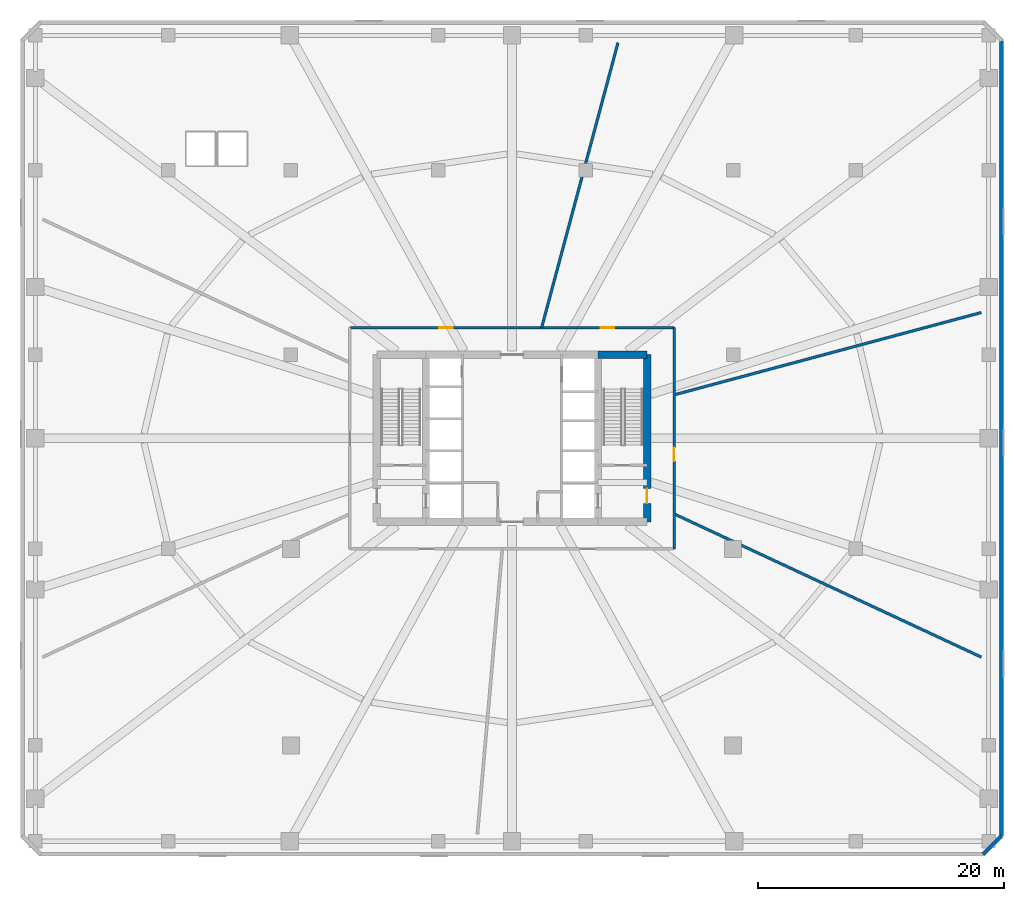
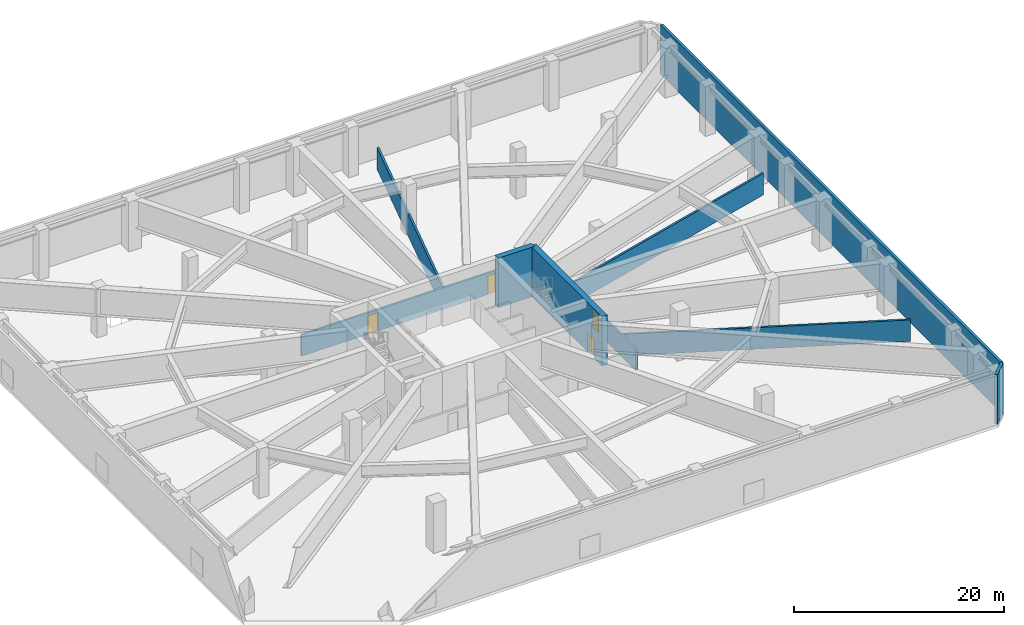
# One storey, part 6 of 9: 9 walls, 4 doors, 4 openings.
"""IFC4 building model written with IfcOpenShell, lengths in metres."""

from ifc_helpers import new_model, si_unit, direction, frame, frame_2d, origin, place, context, subcontext, project, spatial, rectangle, extrude, material, layer, layer_set, type_object, element, fill, save


model = new_model("IFC4")

# Units and contexts
model_context = context("Model", 3, precision=1e-05, world=origin(), true_north=direction((0.0, 1.0)))
body_context = subcontext(model_context, "Body", "Model", "MODEL_VIEW")
ifc_project = project(units=[si_unit("LENGTHUNIT", "METRE"), si_unit("AREAUNIT", "SQUARE_METRE"), si_unit("VOLUMEUNIT", "CUBIC_METRE"), si_unit("PLANEANGLEUNIT", "RADIAN"), si_unit("MASSUNIT", "GRAM", prefix="KILO")], contexts=[model_context])

# Site, building, storey
site_placement = place(None, origin())
site = spatial("IfcSite", under=ifc_project, at=site_placement, CompositionType="ELEMENT")
building_placement = place(site_placement, origin())
building = spatial("IfcBuilding", under=site, at=building_placement, Name="Sarneth Arch Tower", CompositionType="ELEMENT")
storey_placement = place(building_placement, frame((0.0, 0.0, 22.199951171875)))
storey = spatial("IfcBuildingStorey", under=building, at=storey_placement, Name="L04", CompositionType="ELEMENT", Elevation=22.199951171875)

# Wall
ifc_material_1 = material(Name="Concrete C60/75", Category="concrete")
ifc_layer_1 = layer(ifc_material_1, 0.60009765625)
ifc_layer_set_1 = layer_set([ifc_layer_1], Name="Concrete C60/75")
wall_type_1 = type_object("IfcWallType", Name="WALL-CORE-600", PredefinedType="SHEAR", material=ifc_layer_set_1)
wall_1_placement = place(storey_placement, frame((55.0, 48.800048828125, 0.0), z_axis=(0.0, 0.0, 1.0), x_axis=(1.0, 0.0, 0.0)))
element("IfcWall", 1, at=wall_1_placement, inside=storey, type_object=wall_type_1, Name="L04 Core shear wall N-E", PredefinedType="SHEAR", context=body_context, shape_type="SweptSolid", body=[
    extrude(rectangle(XDim=4.0, YDim=0.60009765625, at=frame_2d((2.0, 0.0))), origin(), (0.0, 0.0, 1.0), 5.75),
])

# Wall, opening, door
wall_2_placement = place(storey_placement, frame((59.0, 35.199951171875, 0.0), z_axis=(0.0, 0.0, 1.0), x_axis=(0.0, 1.0, 0.0)))
wall_2 = element("IfcWall", 2, at=wall_2_placement, inside=storey, type_object=wall_type_1, Name="L04 Core shear wall E", PredefinedType="SHEAR", context=body_context, shape_type="SweptSolid", body=[
    extrude(rectangle(XDim=13.60009765625, YDim=0.60009765625, at=frame_2d((6.800048828125, 0.0))), origin(), (0.0, 0.0, 1.0), 5.75),
])
opening_1_placement = place(wall_2_placement, frame((1.5, 0.0, 0.0)))
opening_1 = element("IfcOpeningElement", 3, at=opening_1_placement, cuts=wall_2, Name="Opening FD-02", PredefinedType="OPENING", context=body_context, shape_type="SweptSolid", body=[
    extrude(rectangle(XDim=1.199951171875, YDim=2.14990234375, at=frame_2d((0.60009765625, 1.074951171875))), frame((0.0, 0.31005859375, 0.0), z_axis=(0.0, -1.0, 0.0), x_axis=(1.0, 0.0, 0.0)), (0.0, 0.0, 1.0), 0.6201171875),
])
ifc_material_2 = material(Name="Galvanised Steel S275 fire door set", Category="steel")
door_type_1 = type_object("IfcDoorType", Name="DR-FD90-1200", OperationType="SINGLE_SWING_LEFT", PredefinedType="DOOR", material=ifc_material_2)
door_1_placement = place(opening_1_placement, origin())
door_1 = element("IfcDoor", 4, at=door_1_placement, inside=storey, type_object=door_type_1, Name="L04 Firefighting lobby 2 exit door", OperationType="SINGLE_SWING_RIGHT", OverallHeight=2.14990234375, OverallWidth=1.199951171875, PredefinedType="DOOR", context=body_context, shape_type="SweptSolid", body=[
    extrude(rectangle(XDim=1.199951171875, YDim=2.14990234375, at=frame_2d((0.60009765625, 1.074951171875))), frame((0.0, 0.02490234375, 0.0), z_axis=(0.0, -1.0, 0.0), x_axis=(1.0, 0.0, 0.0)), (0.0, 0.0, 1.0), 0.050048828125),
])
fill(opening_1, door_1)

# Walls
ifc_material_3 = material(Name="Extruded terracotta rainscreen on Concrete C40/50 backing", Category="masonry")
ifc_layer_2 = layer(ifc_material_3, 0.300048828125)
ifc_layer_set_2 = layer_set([ifc_layer_2], Name="Extruded terracotta rainscreen on Concrete C40/50 backing")
wall_type_2 = type_object("IfcWallType", Name="WALL-EXT-ACOUST-300", PredefinedType="SOLIDWALL", material=ifc_layer_set_2)
wall_3_placement = place(storey_placement, frame((86.35009765625, 8.14990234375, 0.0), z_axis=(0.0, 0.0, 1.0), x_axis=(0.707106781187, 0.707106781187, 0.0)))
element("IfcWall", 5, at=wall_3_placement, inside=storey, type_object=wall_type_2, Name="L04 Podium corner wall 2", PredefinedType="SOLIDWALL", context=body_context, shape_type="SweptSolid", body=[
    extrude(rectangle(XDim=2.121337890625, YDim=0.300048828125, at=frame_2d((1.060546875, 0.0))), origin(), (0.0, 0.0, 1.0), 5.75),
])
wall_4_placement = place(storey_placement, frame((87.85009765625, 9.64990234375, 0.0), z_axis=(0.0, 0.0, 1.0), x_axis=(0.0, 1.0, 0.0)))
element("IfcWall", 6, at=wall_4_placement, inside=storey, type_object=wall_type_2, Name="L04 Podium exterior wall 3", PredefinedType="SOLIDWALL", context=body_context, shape_type="SweptSolid", body=[
    extrude(rectangle(XDim=64.7001953125, YDim=0.300048828125, at=frame_2d((32.35009765625, 0.0))), origin(), (0.0, 0.0, 1.0), 5.75),
])
ifc_material_4 = material(Name="Aerated concrete blockwork C25/30", Category="masonry")
ifc_layer_3 = layer(ifc_material_4, 0.219970703125)
ifc_layer_set_3 = layer_set([ifc_layer_3], Name="Aerated concrete blockwork C25/30")
wall_type_3 = type_object("IfcWallType", Name="WALL-FIRE-220", PredefinedType="SOLIDWALL", material=ifc_layer_set_3)
wall_5_placement = place(storey_placement, frame((61.199951171875, 35.8447265625, 0.0), z_axis=(0.0, 0.0, 1.0), x_axis=(0.906307462258, -0.422618958231, 0.0)))
element("IfcWall", 7, at=wall_5_placement, inside=storey, type_object=wall_type_3, Name="L04 Interior partition W-L04-TP-016", PredefinedType="SOLIDWALL", context=body_context, shape_type="SweptSolid", body=[
    extrude(rectangle(XDim=27.58447265625, YDim=0.219970703125, at=frame_2d((13.792236328125, 0.0))), origin(), (0.0, 0.0, 1.0), 2.5),
])
wall_6_placement = place(storey_placement, frame((86.199951171875, 52.235595703125, 0.0), z_axis=(0.0, 0.0, 1.0), x_axis=(-0.965925819934, -0.258819068822, 0.0)))
element("IfcWall", 8, at=wall_6_placement, inside=storey, type_object=wall_type_3, Name="L04 Interior partition W-L04-TP-012", PredefinedType="SOLIDWALL", context=body_context, shape_type="SweptSolid", body=[
    extrude(rectangle(XDim=25.8818359375, YDim=0.219970703125, at=frame_2d((12.94091796875, 0.0))), origin(), (0.0, 0.0, 1.0), 2.5),
])
wall_7_placement = place(storey_placement, frame((50.41162109375, 51.0, 0.0), z_axis=(0.0, 0.0, 1.0), x_axis=(0.25881517655, 0.965926862856, 0.0)))
element("IfcWall", 9, at=wall_7_placement, inside=storey, type_object=wall_type_3, Name="L04 Interior partition W-L04-TP-011", PredefinedType="SOLIDWALL", context=body_context, shape_type="SweptSolid", body=[
    extrude(rectangle(XDim=24.018310546875, YDim=0.219970703125, at=frame_2d((12.00927734375, 0.0))), origin(), (0.0, 0.0, 1.0), 2.5),
])

# Wall, openings, doors
wall_8_placement = place(storey_placement, frame((34.800048828125, 51.0, 0.0), z_axis=(0.0, 0.0, 1.0), x_axis=(1.0, 0.0, 0.0)))
wall_8 = element("IfcWall", 10, at=wall_8_placement, inside=storey, type_object=wall_type_3, Name="L04 Interior partition W-L04-TP-004", PredefinedType="SOLIDWALL", context=body_context, shape_type="SweptSolid", body=[
    extrude(rectangle(XDim=26.39990234375, YDim=0.219970703125, at=frame_2d((13.199951171875, 0.0))), origin(), (0.0, 0.0, 1.0), 2.5),
])
opening_2_placement = place(wall_8_placement, frame((7.272216796875, 0.0, 0.0)))
opening_2 = element("IfcOpeningElement", 11, at=opening_2_placement, cuts=wall_8, Name="Opening FD-03", PredefinedType="OPENING", context=body_context, shape_type="SweptSolid", body=[
    extrude(rectangle(XDim=1.10009765625, YDim=2.14990234375, at=frame_2d((0.550048828125, 1.074951171875))), frame((0.0, 0.119873046875, 0.0), z_axis=(0.0, -1.0, 0.0), x_axis=(1.0, 0.0, 0.0)), (0.0, 0.0, 1.0), 0.239990234375),
])
opening_3_placement = place(wall_8_placement, frame((20.439208984375, 0.0, 0.0)))
opening_3 = element("IfcOpeningElement", 12, at=opening_3_placement, cuts=wall_8, Name="Opening FD-03", PredefinedType="OPENING", context=body_context, shape_type="SweptSolid", body=[
    extrude(rectangle(XDim=1.10009765625, YDim=2.14990234375, at=frame_2d((0.550048828125, 1.074951171875))), frame((0.0, 0.119873046875, 0.0), z_axis=(0.0, -1.0, 0.0), x_axis=(1.0, 0.0, 0.0)), (0.0, 0.0, 1.0), 0.239990234375),
])
ifc_material_5 = material(Name="Galvanised Steel S275 fire door set", Category="steel")
door_type_2 = type_object("IfcDoorType", Name="DR-FD90-1100", OperationType="SINGLE_SWING_LEFT", PredefinedType="DOOR", material=ifc_material_5)
door_2_placement = place(opening_2_placement, origin())
door_2 = element("IfcDoor", 13, at=door_2_placement, inside=storey, type_object=door_type_2, Name="L04 Interior door DR-L04-PSEC-2", OperationType="SINGLE_SWING_LEFT", OverallHeight=2.14990234375, OverallWidth=1.10009765625, PredefinedType="DOOR", context=body_context, shape_type="SweptSolid", body=[
    extrude(rectangle(XDim=1.10009765625, YDim=2.14990234375, at=frame_2d((0.550048828125, 1.074951171875))), frame((0.0, 0.02490234375, 0.0), z_axis=(0.0, -1.0, 0.0), x_axis=(1.0, 0.0, 0.0)), (0.0, 0.0, 1.0), 0.050048828125),
])
fill(opening_2, door_2)
door_3_placement = place(opening_3_placement, origin())
door_3 = element("IfcDoor", 14, at=door_3_placement, inside=storey, type_object=door_type_2, Name="L04 Interior door DR-L04-PSEC-1", OperationType="SINGLE_SWING_LEFT", OverallHeight=2.14990234375, OverallWidth=1.10009765625, PredefinedType="DOOR", context=body_context, shape_type="SweptSolid", body=[
    extrude(rectangle(XDim=1.10009765625, YDim=2.14990234375, at=frame_2d((0.550048828125, 1.074951171875))), frame((0.0, 0.02490234375, 0.0), z_axis=(0.0, -1.0, 0.0), x_axis=(1.0, 0.0, 0.0)), (0.0, 0.0, 1.0), 0.050048828125),
])
fill(opening_3, door_3)

# Wall, opening, door
wall_9_placement = place(storey_placement, frame((61.199951171875, 51.0, 0.0), z_axis=(0.0, 0.0, 1.0), x_axis=(0.0, -1.0, 0.0)))
wall_9 = element("IfcWall", 15, at=wall_9_placement, inside=storey, type_object=wall_type_3, Name="L04 Interior partition W-L04-TP-010", PredefinedType="SOLIDWALL", context=body_context, shape_type="SweptSolid", body=[
    extrude(rectangle(XDim=18.0, YDim=0.219970703125, at=frame_2d((9.0, 0.0))), origin(), (0.0, 0.0, 1.0), 2.5),
])
opening_4_placement = place(wall_9_placement, frame((9.76025390625, 0.0, 0.0)))
opening_4 = element("IfcOpeningElement", 16, at=opening_4_placement, cuts=wall_9, Name="Opening FD-03", PredefinedType="OPENING", context=body_context, shape_type="SweptSolid", body=[
    extrude(rectangle(XDim=1.10009765625, YDim=2.14990234375, at=frame_2d((0.550048828125, 1.074951171875))), frame((0.0, 0.119873046875, 0.0), z_axis=(0.0, -1.0, 0.0), x_axis=(1.0, 0.0, 0.0)), (0.0, 0.0, 1.0), 0.239990234375),
])
door_4_placement = place(opening_4_placement, origin())
door_4 = element("IfcDoor", 17, at=door_4_placement, inside=storey, type_object=door_type_2, Name="L04 Interior door DR-L04-PSEC-6", OperationType="SINGLE_SWING_RIGHT", OverallHeight=2.14990234375, OverallWidth=1.10009765625, PredefinedType="DOOR", context=body_context, shape_type="SweptSolid", body=[
    extrude(rectangle(XDim=1.10009765625, YDim=2.14990234375, at=frame_2d((0.550048828125, 1.074951171875))), frame((0.0, 0.02490234375, 0.0), z_axis=(0.0, -1.0, 0.0), x_axis=(1.0, 0.0, 0.0)), (0.0, 0.0, 1.0), 0.050048828125),
])
fill(opening_4, door_4)

save(model, "model.ifc")
